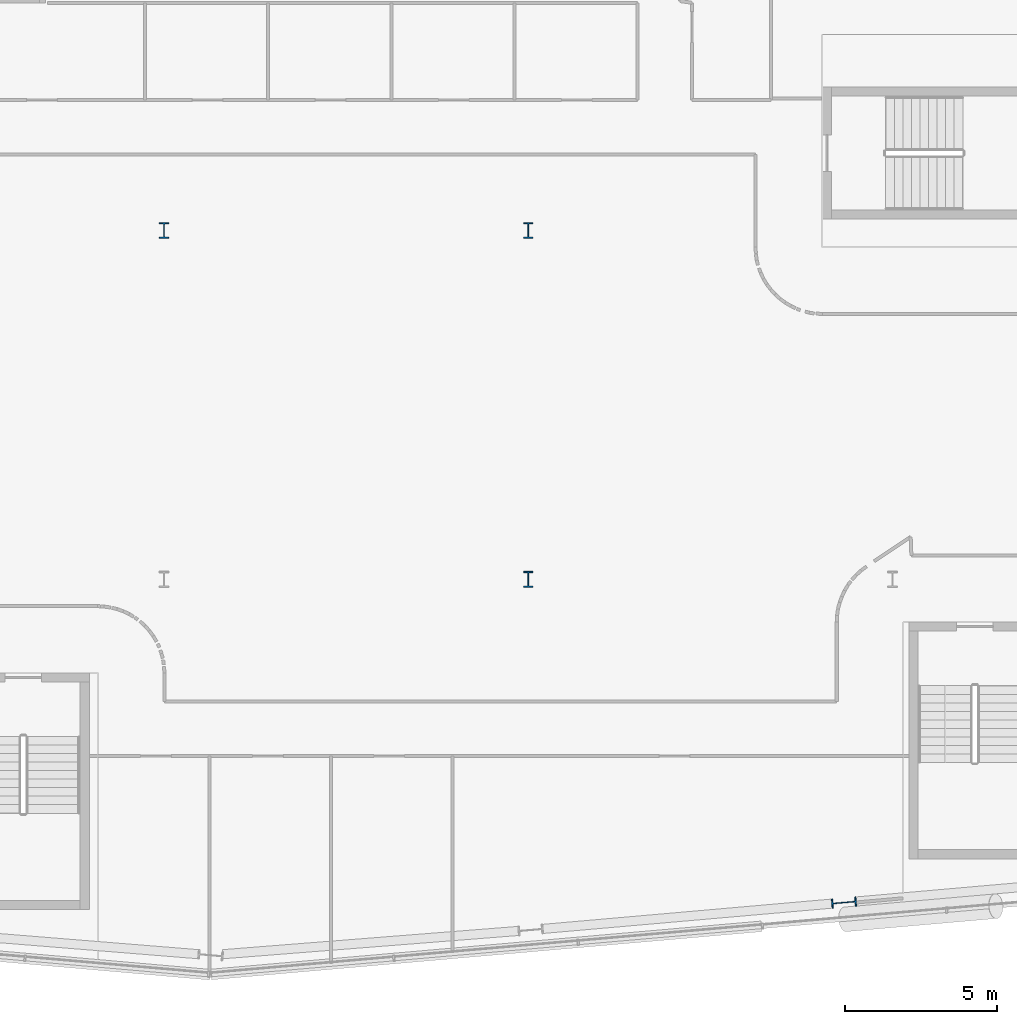
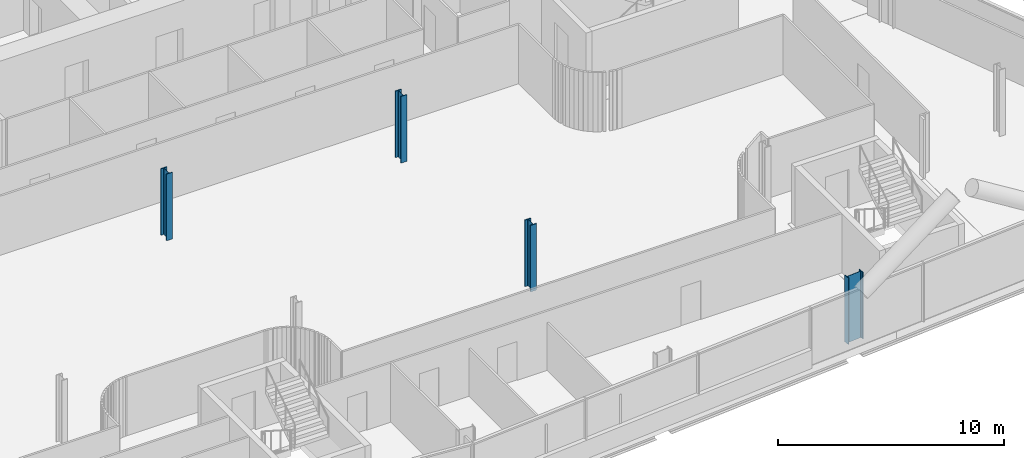
# One storey, part 2 of 30: 4 columns.
"""IFC4 building model written with IfcOpenShell, lengths in metres."""

from ifc_helpers import new_model, si_unit, direction, frame, origin, origin_2d, place, context, subcontext, project, spatial, i_section, extrude, material, material_profile, profile_set, type_object, element, save


model = new_model("IFC4")

# Units and contexts
model_context = context("Model", 3, precision=1e-05, world=origin(), true_north=direction((0.0, 1.0)))
body_context = subcontext(model_context, "Body", "Model", "MODEL_VIEW")
ifc_project = project(units=[si_unit("LENGTHUNIT", "METRE"), si_unit("AREAUNIT", "SQUARE_METRE"), si_unit("VOLUMEUNIT", "CUBIC_METRE"), si_unit("PLANEANGLEUNIT", "RADIAN"), si_unit("MASSUNIT", "GRAM", prefix="KILO")], contexts=[model_context])

# Site, building, storey
site_placement = place(None, origin())
site = spatial("IfcSite", under=ifc_project, at=site_placement, CompositionType="ELEMENT")
building_placement = place(site_placement, origin())
building = spatial("IfcBuilding", under=site, at=building_placement, Name="Wharfspan Tower", CompositionType="ELEMENT")
storey_placement = place(building_placement, frame((0.0, 0.0, 107.5)))
storey = spatial("IfcBuildingStorey", under=building, at=storey_placement, Name="L24", CompositionType="ELEMENT", Elevation=107.5)

# Columns
ifc_material = material(Name="Steel S355J2", Category="steel")
ifc_material_profile_1 = material_profile(ifc_material, i_section(OverallWidth=0.305908, OverallDepth=0.523926, WebThickness=0.020996, FlangeThickness=0.040039, FilletRadius=0.0271, at=origin_2d()))
ifc_profile_set_1 = profile_set([ifc_material_profile_1], Name="Steel S355J2")
column_type_1 = type_object("IfcColumnType", Name="Column HEM 500", PredefinedType="COLUMN", material=ifc_profile_set_1)
for number, where, z_axis, x_axis, name in (
    (1, (60.0, 11.5, 0.0), (0.0, 0.0, 1.0), (1.0, 0.0, 0.0), "Interior column I.1.5 L24"),
    (2, (48.0, 23.0, 0.0), (0.0, 0.0, 1.0), (1.0, 0.0, 0.0), "Interior column I.2.3 L24"),
    (3, (60.0, 23.0, 0.0), (0.0, 0.0, 1.0), (1.0, 0.0, 0.0), "Interior column I.2.4 L24"),
):
    element("IfcColumn", number, at=place(storey_placement, frame(where, z_axis=z_axis, x_axis=x_axis)), inside=storey, type_object=column_type_1, Name=name, PredefinedType="COLUMN", context=body_context, shape_type="SweptSolid", body=[
        extrude(i_section(OverallWidth=0.305908, OverallDepth=0.523926, WebThickness=0.020996, FlangeThickness=0.040039, FilletRadius=0.0271, at=origin_2d()), origin(), (0.0, 0.0, 1.0), 3.600098),
    ])
ifc_material_profile_2 = material_profile(ifc_material, i_section(OverallWidth=0.302979, OverallDepth=0.813965, WebThickness=0.020996, FlangeThickness=0.040039, FilletRadius=0.030029, at=origin_2d()))
ifc_profile_set_2 = profile_set([ifc_material_profile_2], Name="Steel S355J2")
column_type_2 = type_object("IfcColumnType", Name="Column HEM 800", PredefinedType="COLUMN", material=ifc_profile_set_2)
column_placement = place(storey_placement, frame((70.404053, 0.852783, 0.0), z_axis=(0.0, 0.0, 1.0), x_axis=(0.087156, -0.996198, 0.0)))
element("IfcColumn", 4, at=column_placement, inside=storey, type_object=column_type_2, Name="Perimeter column PS2.2 L24", PredefinedType="COLUMN", context=body_context, shape_type="SweptSolid", body=[
    extrude(i_section(OverallWidth=0.302979, OverallDepth=0.813965, WebThickness=0.020996, FlangeThickness=0.040039, FilletRadius=0.030029, at=origin_2d()), origin(), (0.0, 0.0, 1.0), 3.600098),
])

save(model, "model.ifc")
